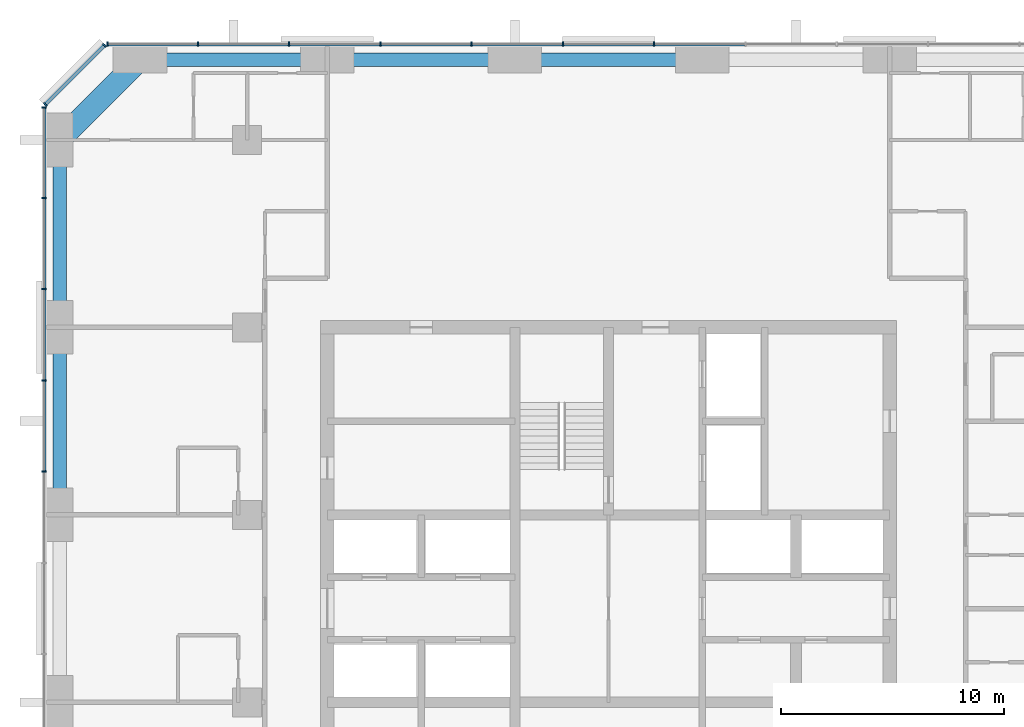
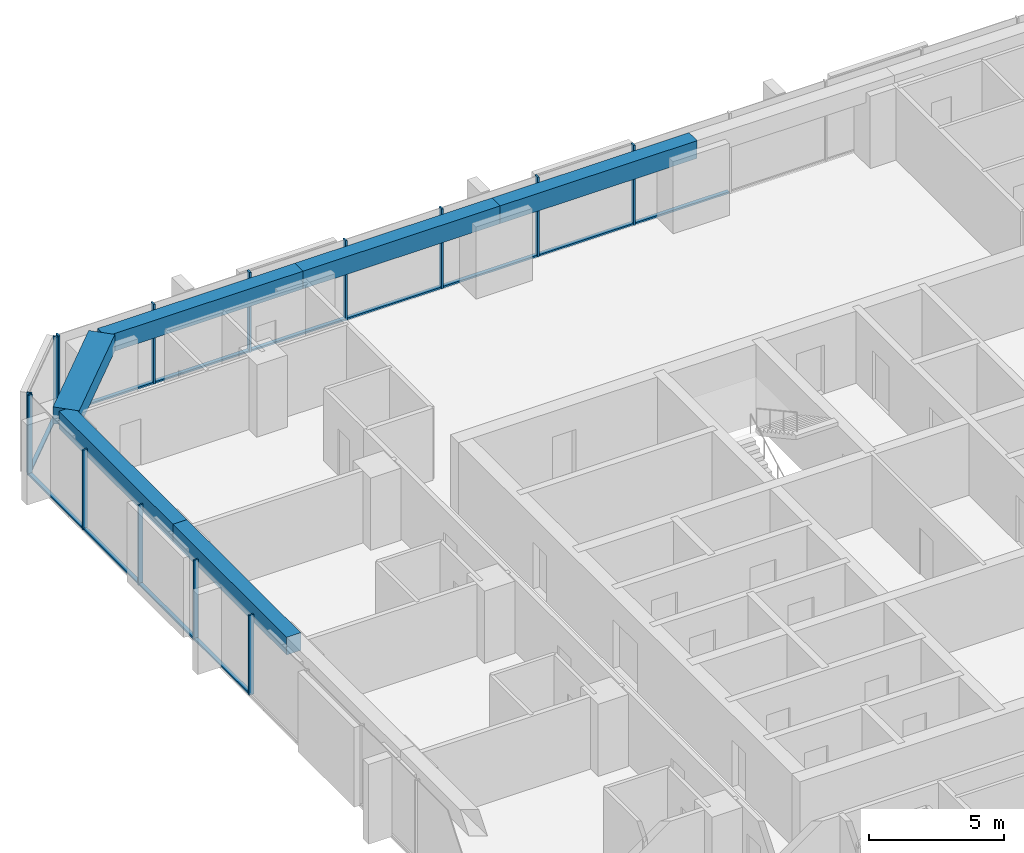
# One storey, part 5 of 13: 26 members, 6 beams, 3 elements without a shape of their own.
"""IFC4 building model written with IfcOpenShell, lengths in metres."""

from ifc_helpers import new_model, si_unit, direction, frame, origin, origin_2d, place, context, subcontext, project, spatial, rectangle, extrude, material, material_profile, profile_set, type_object, element, aggregate, save


model = new_model("IFC4")

# Units and contexts
model_context = context("Model", 3, precision=1e-05, world=origin(), true_north=direction((0.0, 1.0)))
body_context = subcontext(model_context, "Body", "Model", "MODEL_VIEW")
ifc_project = project(units=[si_unit("LENGTHUNIT", "METRE"), si_unit("AREAUNIT", "SQUARE_METRE"), si_unit("VOLUMEUNIT", "CUBIC_METRE"), si_unit("PLANEANGLEUNIT", "RADIAN"), si_unit("MASSUNIT", "GRAM", prefix="KILO")], contexts=[model_context])

# Site, building, storey
site_placement = place(None, origin())
site = spatial("IfcSite", under=ifc_project, at=site_placement, CompositionType="ELEMENT")
building_placement = place(site_placement, origin())
building = spatial("IfcBuilding", under=site, at=building_placement, Name="Dunama Terrace Hotel", CompositionType="ELEMENT")
storey_placement = place(building_placement, frame((0.0, 0.0, 195.0)))
storey = spatial("IfcBuildingStorey", under=building, at=storey_placement, Name="L50", CompositionType="ELEMENT", Elevation=195.0)

# Curtain wall, members
ifc_material_1 = material(Name="Aluminium curtain wall system", Category="aluminium")
curtain_wall_type = type_object("IfcCurtainWallType", Name="Unitised fritted glass wall CW-C", PredefinedType="NOTDEFINED", material=ifc_material_1)
curtain_wall_1_placement = place(storey_placement, origin())
curtain_wall_1 = element("IfcCurtainWall", 1, at=curtain_wall_1_placement, inside=storey, type_object=curtain_wall_type, Name="Unitised fritted glass wall CW-C L50", PredefinedType="NOTDEFINED")
ifc_material_2 = material(Name="Aluminium mullion", Category="aluminium")
ifc_material_profile_1 = material_profile(ifc_material_2, rectangle(XDim=0.070068359375, YDim=0.199951171875, at=origin_2d()), Name="CWC MULLION 70X200")
ifc_profile_set_1 = profile_set([ifc_material_profile_1], Name="Aluminium mullion")
member_type_1 = type_object("IfcMemberType", Name="CWC mullion 70x200", PredefinedType="MULLION", material=ifc_profile_set_1)
member_1_placement = place(storey_placement, frame((31.445068359375, 54.699951171875, 0.0), z_axis=(0.0, 0.0, 1.0), x_axis=(-1.0, 0.0, 0.0)))
member_1 = element("IfcMember", 2, at=member_1_placement, type_object=member_type_1, Name="CWC mullion", PredefinedType="MULLION", context=body_context, shape_type="SweptSolid", body=[
    extrude(rectangle(XDim=0.070068359375, YDim=0.199951171875, at=origin_2d()), origin(), (0.0, 0.0, 1.0), 3.60009765625),
])
member_2_placement = place(storey_placement, frame((27.35498046875, 54.699951171875, 0.0), z_axis=(0.0, 0.0, 1.0), x_axis=(-1.0, 0.0, 0.0)))
member_2 = element("IfcMember", 3, at=member_2_placement, type_object=member_type_1, Name="CWC mullion", PredefinedType="MULLION", context=body_context, shape_type="SweptSolid", body=[
    extrude(rectangle(XDim=0.070068359375, YDim=0.199951171875, at=origin_2d()), origin(), (0.0, 0.0, 1.0), 3.60009765625),
])
member_3_placement = place(storey_placement, frame((23.263916015625, 54.699951171875, 0.0), z_axis=(0.0, 0.0, 1.0), x_axis=(-1.0, 0.0, 0.0)))
member_3 = element("IfcMember", 4, at=member_3_placement, type_object=member_type_1, Name="CWC mullion", PredefinedType="MULLION", context=body_context, shape_type="SweptSolid", body=[
    extrude(rectangle(XDim=0.070068359375, YDim=0.199951171875, at=origin_2d()), origin(), (0.0, 0.0, 1.0), 3.60009765625),
])
member_4_placement = place(storey_placement, frame((19.173095703125, 54.699951171875, 0.0), z_axis=(0.0, 0.0, 1.0), x_axis=(-1.0, 0.0, 0.0)))
member_4 = element("IfcMember", 5, at=member_4_placement, type_object=member_type_1, Name="CWC mullion", PredefinedType="MULLION", context=body_context, shape_type="SweptSolid", body=[
    extrude(rectangle(XDim=0.070068359375, YDim=0.199951171875, at=origin_2d()), origin(), (0.0, 0.0, 1.0), 3.60009765625),
])
member_5_placement = place(storey_placement, frame((15.08203125, 54.699951171875, 0.0), z_axis=(0.0, 0.0, 1.0), x_axis=(-1.0, 0.0, 0.0)))
member_5 = element("IfcMember", 6, at=member_5_placement, type_object=member_type_1, Name="CWC mullion", PredefinedType="MULLION", context=body_context, shape_type="SweptSolid", body=[
    extrude(rectangle(XDim=0.070068359375, YDim=0.199951171875, at=origin_2d()), origin(), (0.0, 0.0, 1.0), 3.60009765625),
])
member_6_placement = place(storey_placement, frame((10.990966796875, 54.699951171875, 0.0), z_axis=(0.0, 0.0, 1.0), x_axis=(-1.0, 0.0, 0.0)))
member_6 = element("IfcMember", 7, at=member_6_placement, type_object=member_type_1, Name="CWC mullion", PredefinedType="MULLION", context=body_context, shape_type="SweptSolid", body=[
    extrude(rectangle(XDim=0.070068359375, YDim=0.199951171875, at=origin_2d()), origin(), (0.0, 0.0, 1.0), 3.60009765625),
])
member_7_placement = place(storey_placement, frame((6.93505859375, 54.699951171875, 0.0), z_axis=(0.0, 0.0, 1.0), x_axis=(-1.0, 0.0, 0.0)))
member_7 = element("IfcMember", 8, at=member_7_placement, type_object=member_type_1, Name="CWC mullion", PredefinedType="MULLION", context=body_context, shape_type="SweptSolid", body=[
    extrude(rectangle(XDim=0.070068359375, YDim=0.199951171875, at=origin_2d()), origin(), (0.0, 0.0, 1.0), 3.60009765625),
])

curtain_wall_2_placement = place(storey_placement, origin())
curtain_wall_2 = element("IfcCurtainWall", 9, at=curtain_wall_2_placement, inside=storey, type_object=curtain_wall_type, Name="Unitised fritted glass wall CW-C L50", PredefinedType="NOTDEFINED")
member_8_placement = place(storey_placement, frame((6.804931640625, 54.64599609375, 0.0), z_axis=(0.0, 0.0, 1.0), x_axis=(-0.707106781187, -0.707106781187, 0.0)))
member_8 = element("IfcMember", 10, at=member_8_placement, type_object=member_type_1, Name="CWC mullion", PredefinedType="MULLION", context=body_context, shape_type="SweptSolid", body=[
    extrude(rectangle(XDim=0.070068359375, YDim=0.199951171875, at=origin_2d()), origin(), (0.0, 0.0, 1.0), 3.60009765625),
])
member_9_placement = place(storey_placement, frame((4.154052734375, 51.9951171875, 0.0), z_axis=(0.0, 0.0, 1.0), x_axis=(-0.707106781187, -0.707106781187, 0.0)))
member_9 = element("IfcMember", 11, at=member_9_placement, type_object=member_type_1, Name="CWC mullion", PredefinedType="MULLION", context=body_context, shape_type="SweptSolid", body=[
    extrude(rectangle(XDim=0.070068359375, YDim=0.199951171875, at=origin_2d()), origin(), (0.0, 0.0, 1.0), 3.60009765625),
])

curtain_wall_3_placement = place(storey_placement, origin())
curtain_wall_3 = element("IfcCurtainWall", 12, at=curtain_wall_3_placement, inside=storey, type_object=curtain_wall_type, Name="Unitised fritted glass wall CW-C L50", PredefinedType="NOTDEFINED")
member_10_placement = place(storey_placement, frame((4.10009765625, 51.864990234375, 0.0), z_axis=(0.0, 0.0, 1.0), x_axis=(0.0, -1.0, 0.0)))
member_10 = element("IfcMember", 13, at=member_10_placement, type_object=member_type_1, Name="CWC mullion", PredefinedType="MULLION", context=body_context, shape_type="SweptSolid", body=[
    extrude(rectangle(XDim=0.070068359375, YDim=0.199951171875, at=origin_2d()), origin(), (0.0, 0.0, 1.0), 3.60009765625),
])
member_11_placement = place(storey_placement, frame((4.10009765625, 47.80908203125, 0.0), z_axis=(0.0, 0.0, 1.0), x_axis=(0.0, -1.0, 0.0)))
member_11 = element("IfcMember", 14, at=member_11_placement, type_object=member_type_1, Name="CWC mullion", PredefinedType="MULLION", context=body_context, shape_type="SweptSolid", body=[
    extrude(rectangle(XDim=0.070068359375, YDim=0.199951171875, at=origin_2d()), origin(), (0.0, 0.0, 1.0), 3.60009765625),
])
member_12_placement = place(storey_placement, frame((4.10009765625, 43.718017578125, 0.0), z_axis=(0.0, 0.0, 1.0), x_axis=(0.0, -1.0, 0.0)))
member_12 = element("IfcMember", 15, at=member_12_placement, type_object=member_type_1, Name="CWC mullion", PredefinedType="MULLION", context=body_context, shape_type="SweptSolid", body=[
    extrude(rectangle(XDim=0.070068359375, YDim=0.199951171875, at=origin_2d()), origin(), (0.0, 0.0, 1.0), 3.60009765625),
])
member_13_placement = place(storey_placement, frame((4.10009765625, 39.626953125, 0.0), z_axis=(0.0, 0.0, 1.0), x_axis=(0.0, -1.0, 0.0)))
member_13 = element("IfcMember", 16, at=member_13_placement, type_object=member_type_1, Name="CWC mullion", PredefinedType="MULLION", context=body_context, shape_type="SweptSolid", body=[
    extrude(rectangle(XDim=0.070068359375, YDim=0.199951171875, at=origin_2d()), origin(), (0.0, 0.0, 1.0), 3.60009765625),
])
member_14_placement = place(storey_placement, frame((4.10009765625, 35.535888671875, 0.0), z_axis=(0.0, 0.0, 1.0), x_axis=(0.0, -1.0, 0.0)))
member_14 = element("IfcMember", 17, at=member_14_placement, type_object=member_type_1, Name="CWC mullion", PredefinedType="MULLION", context=body_context, shape_type="SweptSolid", body=[
    extrude(rectangle(XDim=0.070068359375, YDim=0.199951171875, at=origin_2d()), origin(), (0.0, 0.0, 1.0), 3.60009765625),
])

# Member
ifc_material_3 = material(Name="Aluminium transom", Category="aluminium")
ifc_material_profile_2 = material_profile(ifc_material_3, rectangle(XDim=0.159912109375, YDim=0.080078125, at=origin_2d()), Name="CWC TRANSOM 160X80")
ifc_profile_set_2 = profile_set([ifc_material_profile_2], Name="Aluminium transom")
member_type_2 = type_object("IfcMemberType", Name="CWC transom 160x80", PredefinedType="USERDEFINED", material=ifc_profile_set_2)
member_15_placement = place(storey_placement, frame((35.5009765625, 54.699951171875, 0.0400390625), z_axis=(-1.0, 0.0, 0.0), x_axis=(0.0, -1.0, 0.0)))
member_15 = element("IfcMember", 18, at=member_15_placement, type_object=member_type_2, Name="CWC transom", ObjectType="TRANSOM", PredefinedType="USERDEFINED", context=body_context, shape_type="SweptSolid", body=[
    extrude(rectangle(XDim=0.159912109375, YDim=0.080078125, at=origin_2d()), origin(), (0.0, 0.0, 1.0), 4.02099609375),
])

member_16_placement = place(storey_placement, frame((31.409912109375, 54.699951171875, 0.0400390625), z_axis=(-1.0, 0.0, 0.0), x_axis=(0.0, -1.0, 0.0)))
member_16 = element("IfcMember", 19, at=member_16_placement, type_object=member_type_2, Name="CWC transom", ObjectType="TRANSOM", PredefinedType="USERDEFINED", context=body_context, shape_type="SweptSolid", body=[
    extrude(rectangle(XDim=0.159912109375, YDim=0.080078125, at=origin_2d()), origin(), (0.0, 0.0, 1.0), 4.02001953125),
])

member_17_placement = place(storey_placement, frame((27.320068359375, 54.699951171875, 0.0400390625), z_axis=(-1.0, 0.0, 0.0), x_axis=(0.0, -1.0, 0.0)))
member_17 = element("IfcMember", 20, at=member_17_placement, type_object=member_type_2, Name="CWC transom", ObjectType="TRANSOM", PredefinedType="USERDEFINED", context=body_context, shape_type="SweptSolid", body=[
    extrude(rectangle(XDim=0.159912109375, YDim=0.080078125, at=origin_2d()), origin(), (0.0, 0.0, 1.0), 4.02099609375),
])

member_18_placement = place(storey_placement, frame((23.22900390625, 54.699951171875, 0.0400390625), z_axis=(-1.0, 0.0, 0.0), x_axis=(0.0, -1.0, 0.0)))
member_18 = element("IfcMember", 21, at=member_18_placement, type_object=member_type_2, Name="CWC transom", ObjectType="TRANSOM", PredefinedType="USERDEFINED", context=body_context, shape_type="SweptSolid", body=[
    extrude(rectangle(XDim=0.159912109375, YDim=0.080078125, at=origin_2d()), origin(), (0.0, 0.0, 1.0), 4.02099609375),
])

member_19_placement = place(storey_placement, frame((19.137939453125, 54.699951171875, 0.0400390625), z_axis=(-1.0, 0.0, 0.0), x_axis=(0.0, -1.0, 0.0)))
member_19 = element("IfcMember", 22, at=member_19_placement, type_object=member_type_2, Name="CWC transom", ObjectType="TRANSOM", PredefinedType="USERDEFINED", context=body_context, shape_type="SweptSolid", body=[
    extrude(rectangle(XDim=0.159912109375, YDim=0.080078125, at=origin_2d()), origin(), (0.0, 0.0, 1.0), 4.02099609375),
])

member_20_placement = place(storey_placement, frame((15.047119140625, 54.699951171875, 0.0400390625), z_axis=(-1.0, 0.0, 0.0), x_axis=(0.0, -1.0, 0.0)))
member_20 = element("IfcMember", 23, at=member_20_placement, type_object=member_type_2, Name="CWC transom", ObjectType="TRANSOM", PredefinedType="USERDEFINED", context=body_context, shape_type="SweptSolid", body=[
    extrude(rectangle(XDim=0.159912109375, YDim=0.080078125, at=origin_2d()), origin(), (0.0, 0.0, 1.0), 4.021240234375),
])

member_21_placement = place(storey_placement, frame((10.9560546875, 54.699951171875, 0.0400390625), z_axis=(-1.0, 0.0, 0.0), x_axis=(0.0, -1.0, 0.0)))
member_21 = element("IfcMember", 24, at=member_21_placement, type_object=member_type_2, Name="CWC transom", ObjectType="TRANSOM", PredefinedType="USERDEFINED", context=body_context, shape_type="SweptSolid", body=[
    extrude(rectangle(XDim=0.159912109375, YDim=0.080078125, at=origin_2d()), origin(), (0.0, 0.0, 1.0), 3.986083984375),
])

aggregate(curtain_wall_1, [member_1, member_2, member_3, member_4, member_5, member_6, member_7, member_15, member_16, member_17, member_18, member_19, member_20, member_21])

member_22_placement = place(storey_placement, frame((6.780029296875, 54.62109375, 0.0400390625), z_axis=(-0.707106781187, -0.707106781187, 0.0), x_axis=(0.707106781187, -0.707106781187, 0.0)))
member_22 = element("IfcMember", 25, at=member_22_placement, type_object=member_type_2, Name="CWC transom", ObjectType="TRANSOM", PredefinedType="USERDEFINED", context=body_context, shape_type="SweptSolid", body=[
    extrude(rectangle(XDim=0.159912109375, YDim=0.080078125, at=origin_2d()), origin(), (0.0, 0.0, 1.0), 3.678466796875),
])

aggregate(curtain_wall_2, [member_8, member_9, member_22])

member_23_placement = place(storey_placement, frame((4.10009765625, 51.830078125, 0.0400390625), z_axis=(0.0, -1.0, 0.0), x_axis=(1.0, 0.0, 0.0)))
member_23 = element("IfcMember", 26, at=member_23_placement, type_object=member_type_2, Name="CWC transom", ObjectType="TRANSOM", PredefinedType="USERDEFINED", context=body_context, shape_type="SweptSolid", body=[
    extrude(rectangle(XDim=0.159912109375, YDim=0.080078125, at=origin_2d()), origin(), (0.0, 0.0, 1.0), 3.986083984375),
])

member_24_placement = place(storey_placement, frame((4.10009765625, 47.77392578125, 0.0400390625), z_axis=(0.0, -1.0, 0.0), x_axis=(1.0, 0.0, 0.0)))
member_24 = element("IfcMember", 27, at=member_24_placement, type_object=member_type_2, Name="CWC transom", ObjectType="TRANSOM", PredefinedType="USERDEFINED", context=body_context, shape_type="SweptSolid", body=[
    extrude(rectangle(XDim=0.159912109375, YDim=0.080078125, at=origin_2d()), origin(), (0.0, 0.0, 1.0), 4.02099609375),
])

member_25_placement = place(storey_placement, frame((4.10009765625, 43.68310546875, 0.0400390625), z_axis=(0.0, -1.0, 0.0), x_axis=(1.0, 0.0, 0.0)))
member_25 = element("IfcMember", 28, at=member_25_placement, type_object=member_type_2, Name="CWC transom", ObjectType="TRANSOM", PredefinedType="USERDEFINED", context=body_context, shape_type="SweptSolid", body=[
    extrude(rectangle(XDim=0.159912109375, YDim=0.080078125, at=origin_2d()), origin(), (0.0, 0.0, 1.0), 4.02099609375),
])

member_26_placement = place(storey_placement, frame((4.10009765625, 39.592041015625, 0.0400390625), z_axis=(0.0, -1.0, 0.0), x_axis=(1.0, 0.0, 0.0)))
member_26 = element("IfcMember", 29, at=member_26_placement, type_object=member_type_2, Name="CWC transom", ObjectType="TRANSOM", PredefinedType="USERDEFINED", context=body_context, shape_type="SweptSolid", body=[
    extrude(rectangle(XDim=0.159912109375, YDim=0.080078125, at=origin_2d()), origin(), (0.0, 0.0, 1.0), 4.02099609375),
])

aggregate(curtain_wall_3, [member_10, member_11, member_12, member_13, member_14, member_23, member_24, member_25, member_26])

# Beams
ifc_material_4 = material(Name="Concrete C50/60", Category="concrete")
ifc_material_profile_3 = material_profile(ifc_material_4, rectangle(XDim=1.0, YDim=0.75, at=origin_2d()), Name="RC 1000x750")
ifc_profile_set_3 = profile_set([ifc_material_profile_3], Name="Concrete C50/60")
beam_type_1 = type_object("IfcBeamType", Name="Edge beam RC 1000x750", PredefinedType="SPANDREL", material=ifc_profile_set_3)
beam_1_placement = place(storey_placement, frame((8.39990234375, 54.0, 3.22509765625), z_axis=(-0.707082803744, -0.707130757816, 0.0), x_axis=(0.707130757816, -0.707082803744, 0.0)))
element("IfcBeam", 30, at=beam_1_placement, inside=storey, type_object=beam_type_1, Name="Corner edge beam under L51", PredefinedType="SPANDREL", context=body_context, shape_type="SweptSolid", body=[
    extrude(rectangle(XDim=1.0, YDim=0.75, at=origin_2d()), origin(), (0.0, 0.0, 1.0), 5.091064453125),
])
ifc_material_5 = material(Name="Concrete C40/50", Category="concrete")
ifc_material_profile_4 = material_profile(ifc_material_5, rectangle(XDim=0.60009765625, YDim=0.800048828125, at=origin_2d()), Name="RC 600x800")
ifc_profile_set_4 = profile_set([ifc_material_profile_4], Name="Concrete C40/50")
beam_type_2 = type_object("IfcBeamType", Name="Edge beam RC 600x800", PredefinedType="SPANDREL", material=ifc_profile_set_4)
for number, where, z_axis, x_axis, name in (
    (31, (4.800048828125, 33.60009765625, 3.199951171875), (0.0, 1.0, 0.0), (-1.0, 0.0, 0.0), "Edge beam under L51"),
    (32, (4.800048828125, 42.0, 3.199951171875), (0.0, 1.0, 0.0), (-1.0, 0.0, 0.0), "Edge beam under L51"),
):
    element("IfcBeam", number, at=place(storey_placement, frame(where, z_axis=z_axis, x_axis=x_axis)), inside=storey, type_object=beam_type_2, Name=name, PredefinedType="SPANDREL", context=body_context, shape_type="SweptSolid", body=[
        extrude(rectangle(XDim=0.60009765625, YDim=0.800048828125, at=origin_2d()), origin(), (0.0, 0.0, 1.0), 8.39990234375),
    ])
beam_2_placement = place(storey_placement, frame((8.39990234375, 54.0, 3.199951171875), z_axis=(1.0, 0.0, 0.0), x_axis=(0.0, 1.0, 0.0)))
element("IfcBeam", 33, at=beam_2_placement, inside=storey, type_object=beam_type_2, Name="Edge beam under L51", PredefinedType="SPANDREL", context=body_context, shape_type="SweptSolid", body=[
    extrude(rectangle(XDim=0.60009765625, YDim=0.800048828125, at=origin_2d()), origin(), (0.0, 0.0, 1.0), 8.400146484375),
])
beam_3_placement = place(storey_placement, frame((16.800048828125, 54.0, 3.199951171875), z_axis=(1.0, 0.0, 0.0), x_axis=(0.0, 1.0, 0.0)))
element("IfcBeam", 34, at=beam_3_placement, inside=storey, type_object=beam_type_2, Name="Edge beam under L51", PredefinedType="SPANDREL", context=body_context, shape_type="SweptSolid", body=[
    extrude(rectangle(XDim=0.60009765625, YDim=0.800048828125, at=origin_2d()), origin(), (0.0, 0.0, 1.0), 8.39990234375),
])
beam_4_placement = place(storey_placement, frame((25.199951171875, 54.0, 3.199951171875), z_axis=(1.0, 0.0, 0.0), x_axis=(0.0, 1.0, 0.0)))
element("IfcBeam", 35, at=beam_4_placement, inside=storey, type_object=beam_type_2, Name="Edge beam under L51", PredefinedType="SPANDREL", context=body_context, shape_type="SweptSolid", body=[
    extrude(rectangle(XDim=0.60009765625, YDim=0.800048828125, at=origin_2d()), origin(), (0.0, 0.0, 1.0), 8.400146484375),
])

save(model, "model.ifc")
